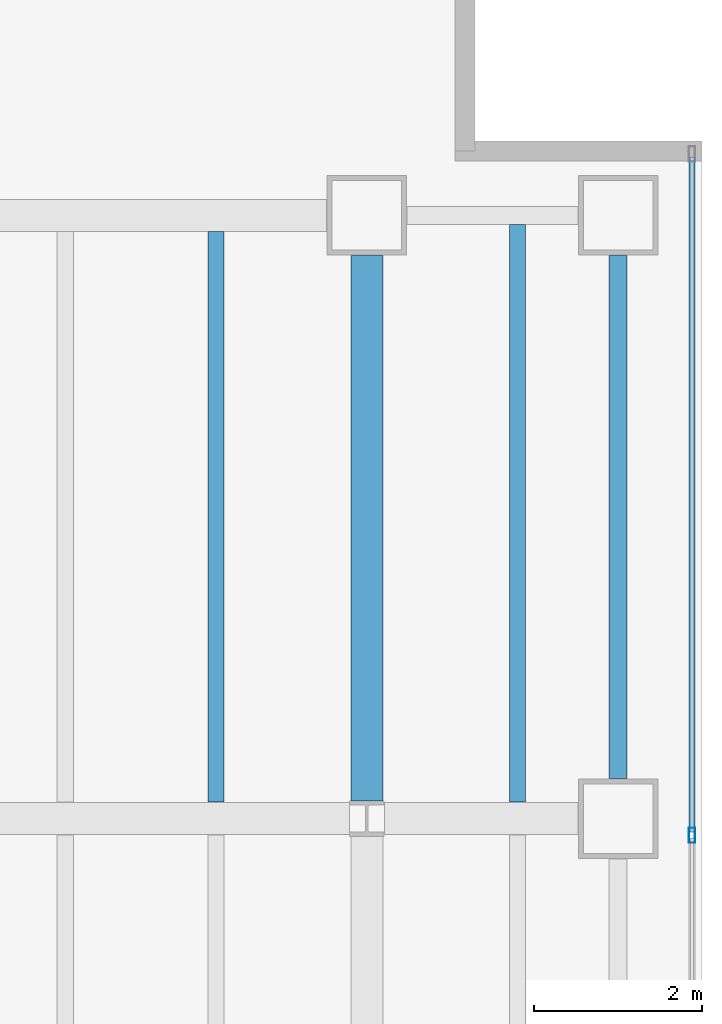
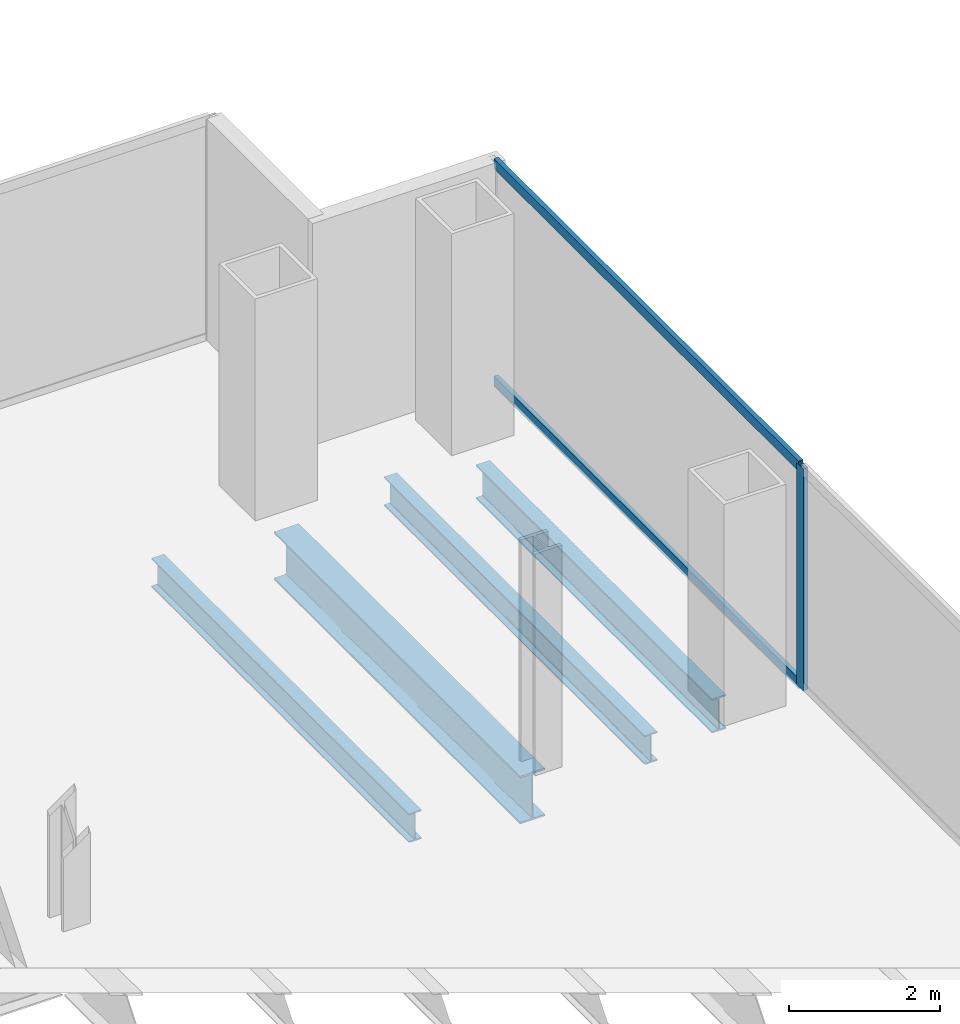
# One storey, part 13 of 23: 4 beams, 3 members, 1 element without a shape of its own.
"""IFC4 building model written with IfcOpenShell, lengths in metres."""

from ifc_helpers import new_model, si_unit, direction, frame, origin, origin_2d, place, context, subcontext, project, spatial, hollow_rectangle, i_section, extrude, material, material_profile, profile_set, type_object, element, aggregate, save


model = new_model("IFC4")

# Units and contexts
model_context = context("Model", 3, precision=1e-05, world=origin(), true_north=direction((0.0, 1.0)))
body_context = subcontext(model_context, "Body", "Model", "MODEL_VIEW")
ifc_project = project(units=[si_unit("LENGTHUNIT", "METRE"), si_unit("AREAUNIT", "SQUARE_METRE"), si_unit("VOLUMEUNIT", "CUBIC_METRE"), si_unit("PLANEANGLEUNIT", "RADIAN"), si_unit("MASSUNIT", "GRAM", prefix="KILO")], contexts=[model_context])

# Site, building, storey
site_placement = place(None, origin())
site = spatial("IfcSite", under=ifc_project, at=site_placement, CompositionType="ELEMENT")
building_placement = place(site_placement, origin())
building = spatial("IfcBuilding", under=site, at=building_placement, Name="Cobrela Telecom Tower", CompositionType="ELEMENT")
storey_placement = place(building_placement, frame((0.0, 0.0, 109.89990234375)))
storey = spatial("IfcBuildingStorey", under=building, at=storey_placement, Name="L27", CompositionType="ELEMENT", Elevation=109.89990234375)

# Beams
ifc_material_1 = material(Name="Steel ASTM A992 Grade 50", Category="steel")
ifc_material_profile_1 = material_profile(ifc_material_1, i_section(OverallWidth=0.381103515625, OverallDepth=0.77197265625, WebThickness=0.0166015625, FlangeThickness=0.027099609375, FilletRadius=0.01904296875, at=origin_2d()), Name="W30X173")
ifc_profile_set_1 = profile_set([ifc_material_profile_1], Name="Steel ASTM A992 Grade 50")
beam_type_1 = type_object("IfcBeamType", Name="BM-GIRD-04", PredefinedType="USERDEFINED", material=ifc_profile_set_1)
beam_1_placement = place(storey_placement, frame((43.199951171875, 14.609619140625, -0.656005859375), z_axis=(0.0, 1.0, 0.0), x_axis=(-1.0, 0.0, 0.0)))
element("IfcBeam", 1, at=beam_1_placement, inside=storey, type_object=beam_type_1, Name="L27 Primary Girder Y54", ObjectType="GIRDER", PredefinedType="USERDEFINED", context=body_context, shape_type="SweptSolid", body=[
    extrude(i_section(OverallWidth=0.381103515625, OverallDepth=0.77197265625, WebThickness=0.0166015625, FlangeThickness=0.027099609375, FilletRadius=0.01904296875, at=origin_2d()), origin(), (0.0, 0.0, 1.0), 6.510498046875),
])
ifc_material_profile_2 = material_profile(ifc_material_1, i_section(OverallWidth=0.193115234375, OverallDepth=0.467041015625, WebThickness=0.011474609375, FlangeThickness=0.01904296875, FilletRadius=0.012939453125, at=origin_2d()), Name="W18X65")
ifc_profile_set_2 = profile_set([ifc_material_profile_2], Name="Steel ASTM A992 Grade 50")
beam_type_2 = type_object("IfcBeamType", Name="BM-JOIST-03", PredefinedType="JOIST", material=ifc_profile_set_2)
beam_2_placement = place(storey_placement, frame((41.39990234375, 14.595458984375, -0.50341796875), z_axis=(0.0, 1.0, 0.0), x_axis=(-1.0, 0.0, 0.0)))
element("IfcBeam", 2, at=beam_2_placement, inside=storey, type_object=beam_type_2, Name="L27 Secondary Composite Floor Beam J38", PredefinedType="JOIST", context=body_context, shape_type="SweptSolid", body=[
    extrude(i_section(OverallWidth=0.193115234375, OverallDepth=0.467041015625, WebThickness=0.011474609375, FlangeThickness=0.01904296875, FilletRadius=0.012939453125, at=origin_2d()), origin(), (0.0, 0.0, 1.0), 6.80908203125),
])
beam_3_placement = place(storey_placement, frame((45.0, 14.595458984375, -0.50341796875), z_axis=(0.0, 1.0, 0.0), x_axis=(-1.0, 0.0, 0.0)))
element("IfcBeam", 3, at=beam_3_placement, inside=storey, type_object=beam_type_2, Name="L27 Secondary Composite Floor Beam J40", PredefinedType="JOIST", context=body_context, shape_type="SweptSolid", body=[
    extrude(i_section(OverallWidth=0.193115234375, OverallDepth=0.467041015625, WebThickness=0.011474609375, FlangeThickness=0.01904296875, FilletRadius=0.012939453125, at=origin_2d()), origin(), (0.0, 0.0, 1.0), 6.89306640625),
])
ifc_material_profile_3 = material_profile(ifc_material_1, i_section(OverallWidth=0.212890625, OverallDepth=0.549072265625, WebThickness=0.0146484375, FlangeThickness=0.023681640625, FilletRadius=0.013916015625, at=origin_2d()), Name="W21X93")
ifc_profile_set_3 = profile_set([ifc_material_profile_3], Name="Steel ASTM A992 Grade 50")
beam_type_3 = type_object("IfcBeamType", Name="BM-SPAND-03", PredefinedType="SPANDREL", material=ifc_profile_set_3)
beam_4_placement = place(storey_placement, frame((46.199951171875, 14.8798828125, -0.54443359375), z_axis=(0.0, 1.0, 0.0), x_axis=(-1.0, 0.0, 0.0)))
element("IfcBeam", 4, at=beam_4_placement, inside=storey, type_object=beam_type_3, Name="L27 Perimeter Spandrel Y56", PredefinedType="SPANDREL", context=body_context, shape_type="SweptSolid", body=[
    extrude(i_section(OverallWidth=0.212890625, OverallDepth=0.549072265625, WebThickness=0.0146484375, FlangeThickness=0.023681640625, FilletRadius=0.013916015625, at=origin_2d()), origin(), (0.0, 0.0, 1.0), 6.240234375),
])

# Curtain wall, members
ifc_material_2 = material(Name="Anodized Bronze Aluminium 6063-T6", Category="aluminium")
curtain_wall_type = type_object("IfcCurtainWallType", Name="CW-SYS-TEL", PredefinedType="USERDEFINED", material=ifc_material_2)
curtain_wall_placement = place(storey_placement, origin())
curtain_wall = element("IfcCurtainWall", 5, at=curtain_wall_placement, inside=storey, type_object=curtain_wall_type, Name="L27 Unitised Bronze Curtain Wall 14", ObjectType="UNITISED CURTAIN WALL", PredefinedType="USERDEFINED")
ifc_material_profile_4 = material_profile(ifc_material_2, hollow_rectangle(XDim=0.074951171875, YDim=0.179931640625, WallThickness=0.00390625, at=origin_2d()), Name="ALU 75x180x4")
ifc_profile_set_4 = profile_set([ifc_material_profile_4], Name="Anodized Bronze Aluminium 6063-T6")
member_type_1 = type_object("IfcMemberType", Name="CW-SYS-TEL-MUL", PredefinedType="MULLION", material=ifc_profile_set_4)
member_1_placement = place(storey_placement, frame((47.080078125, 14.199951171875, 0.0), z_axis=(0.0, 0.0, 1.0), x_axis=(1.0, 0.0, 0.0)))
member_1 = element("IfcMember", 6, at=member_1_placement, type_object=member_type_1, Name="CW-TEL mullion 2", PredefinedType="MULLION", context=body_context, shape_type="SweptSolid", body=[
    extrude(hollow_rectangle(XDim=0.074951171875, YDim=0.179931640625, WallThickness=0.00390625, at=origin_2d()), origin(), (0.0, 0.0, 1.0), 3.580078125),
])
ifc_material_profile_5 = material_profile(ifc_material_2, hollow_rectangle(XDim=0.070068359375, YDim=0.159912109375, WallThickness=0.00390625, at=origin_2d()), Name="ALU 70x160x4")
ifc_profile_set_5 = profile_set([ifc_material_profile_5], Name="Anodized Bronze Aluminium 6063-T6")
member_type_2 = type_object("IfcMemberType", Name="CW-SYS-TEL-TRN", PredefinedType="USERDEFINED", material=ifc_profile_set_5)
member_2_placement = place(storey_placement, frame((47.080078125, 22.294921875, 0.03515625), z_axis=(0.0, -1.0, 0.0), x_axis=(1.0, 0.0, 0.0)))
member_2 = element("IfcMember", 7, at=member_2_placement, type_object=member_type_2, Name="CW-TEL transom 1.1", ObjectType="TRANSOM", PredefinedType="USERDEFINED", context=body_context, shape_type="SweptSolid", body=[
    extrude(hollow_rectangle(XDim=0.070068359375, YDim=0.159912109375, WallThickness=0.00390625, at=origin_2d()), origin(), (0.0, 0.0, 1.0), 8.057373046875),
])
member_3_placement = place(storey_placement, frame((47.080078125, 22.294921875, 3.545166015625), z_axis=(0.0, -1.0, 0.0), x_axis=(1.0, 0.0, 0.0)))
member_3 = element("IfcMember", 8, at=member_3_placement, type_object=member_type_2, Name="CW-TEL transom 1.2", ObjectType="TRANSOM", PredefinedType="USERDEFINED", context=body_context, shape_type="SweptSolid", body=[
    extrude(hollow_rectangle(XDim=0.070068359375, YDim=0.159912109375, WallThickness=0.00390625, at=origin_2d()), origin(), (0.0, 0.0, 1.0), 8.057373046875),
])
aggregate(curtain_wall, [member_1, member_2, member_3])

save(model, "model.ifc")
